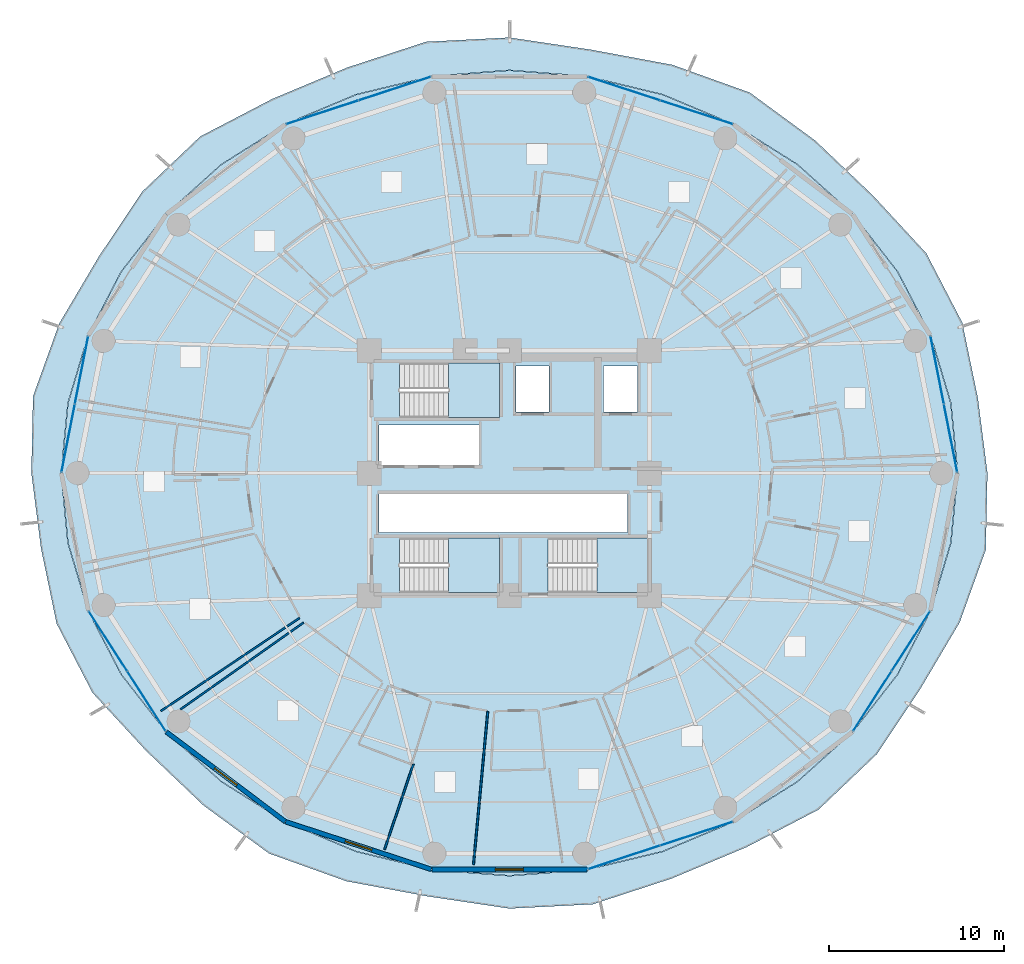
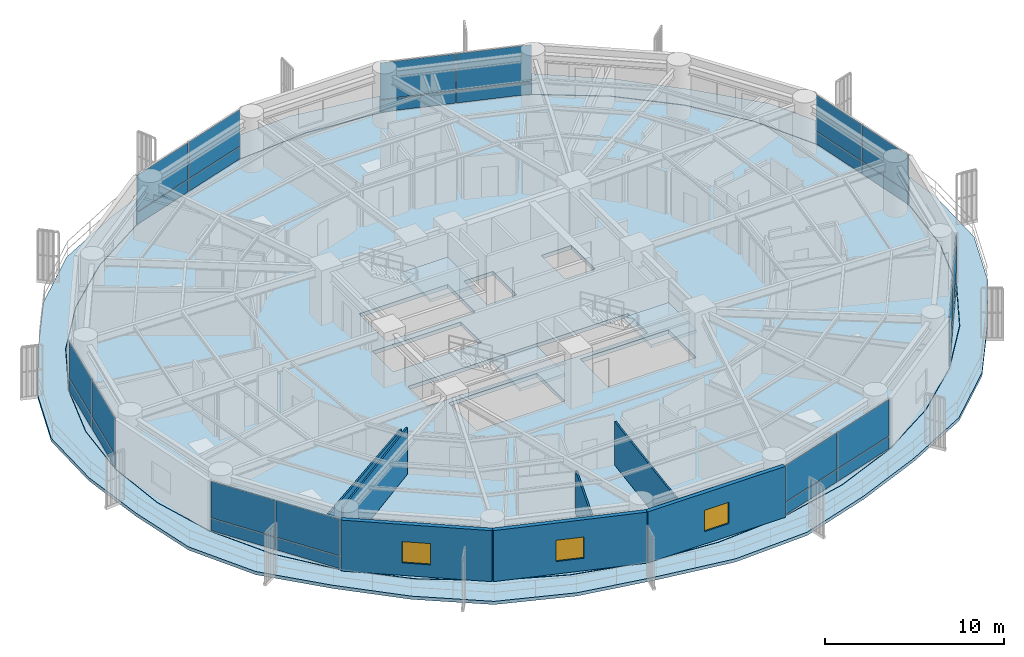
# One storey, part 26 of 35: 28 plates, 7 walls, 5 slabs, 3 windows, 3 openings, 10 elements without a shape of their own.
"""IFC4 building model written with IfcOpenShell, lengths in metres."""

from ifc_helpers import new_model, si_unit, direction, frame, frame_2d, origin, origin_2d, place, context, subcontext, project, spatial, polyline, rectangle, outline, extrude, source, transform, mapped, material, layer, layer_set, type_object, element, fill, aggregate, save


model = new_model("IFC4")

# Units and contexts
model_context = context("Model", 3, precision=1e-05, world=origin(), true_north=direction((0.0, 1.0)))
body_context = subcontext(model_context, "Body", "Model", "MODEL_VIEW")
ifc_project = project(units=[si_unit("LENGTHUNIT", "METRE"), si_unit("AREAUNIT", "SQUARE_METRE"), si_unit("VOLUMEUNIT", "CUBIC_METRE"), si_unit("PLANEANGLEUNIT", "RADIAN"), si_unit("MASSUNIT", "GRAM", prefix="KILO")], contexts=[model_context])

# Site, building, storey
site_placement = place(None, origin())
site = spatial("IfcSite", under=ifc_project, at=site_placement, CompositionType="ELEMENT")
building_placement = place(site_placement, origin())
building = spatial("IfcBuilding", under=site, at=building_placement, Name="Kelanora Arch Commons", CompositionType="ELEMENT")
storey_placement = place(building_placement, frame((0.0, 0.0, 91.35009765625)))
storey = spatial("IfcBuildingStorey", under=building, at=storey_placement, Name="L23", CompositionType="ELEMENT", Elevation=91.35009765625)

# Stair, slab
ifc_material_1 = material(Name="Concrete C40/50", Category="concrete")
stair_type = type_object("IfcStairType", Name="STR-DL-375", PredefinedType="HALF_TURN_STAIR", material=ifc_material_1)
stair_1_placement = place(storey_placement, origin())
stair_1 = element("IfcStair", 1, at=stair_1_placement, inside=storey, type_object=stair_type, Name="L23 ST-T1", PredefinedType="HALF_TURN_STAIR")
ifc_layer_1 = layer(ifc_material_1, 0.199951171875)
ifc_layer_set_1 = layer_set([ifc_layer_1], Name="Concrete C40/50")
slab_type_1 = type_object("IfcSlabType", Name="SLB-STAIR-LND", PredefinedType="LANDING", material=ifc_layer_set_1)
slab_1_placement = place(storey_placement, frame((0.0, 0.0, 1.6748046875)))
slab_1 = element("IfcSlab", 2, at=slab_1_placement, type_object=slab_type_1, Name="ST-T1 landing 1", PredefinedType="LANDING", context=body_context, shape_type="SweptSolid", body=[
    extrude(outline(polyline([(70.52001953125, 61.179931640625), (73.43994140625, 61.179931640625), (73.43994140625, 64.2900390625), (70.52001953125, 64.2900390625), (70.52001953125, 61.179931640625)])), origin(), (0.0, 0.0, 1.0), 0.2001953125),
])
aggregate(stair_1, [slab_1])

stair_2_placement = place(storey_placement, origin())
stair_2 = element("IfcStair", 3, at=stair_2_placement, inside=storey, type_object=stair_type, Name="L23 ST-T2", PredefinedType="HALF_TURN_STAIR")
slab_2_placement = place(storey_placement, frame((0.0, 0.0, 1.6748046875)))
slab_2 = element("IfcSlab", 4, at=slab_2_placement, type_object=slab_type_1, Name="ST-T2 landing 1", PredefinedType="LANDING", context=body_context, shape_type="SweptSolid", body=[
    extrude(outline(polyline([(79.0, 51.179931640625), (81.919921875, 51.179931640625), (81.919921875, 54.2900390625), (79.0, 54.2900390625), (79.0, 51.179931640625)])), origin(), (0.0, 0.0, 1.0), 0.2001953125),
])
aggregate(stair_2, [slab_2])

stair_3_placement = place(storey_placement, origin())
stair_3 = element("IfcStair", 5, at=stair_3_placement, inside=storey, type_object=stair_type, Name="L23 ST-T3", PredefinedType="HALF_TURN_STAIR")
slab_3_placement = place(storey_placement, frame((0.0, 0.0, 1.6748046875)))
slab_3 = element("IfcSlab", 6, at=slab_3_placement, type_object=slab_type_1, Name="ST-T3 landing 1", PredefinedType="LANDING", context=body_context, shape_type="SweptSolid", body=[
    extrude(outline(polyline([(70.52001953125, 51.179931640625), (73.43994140625, 51.179931640625), (73.43994140625, 54.2900390625), (70.52001953125, 54.2900390625), (70.52001953125, 51.179931640625)])), origin(), (0.0, 0.0, 1.0), 0.2001953125),
])
aggregate(stair_3, [slab_3])

# Slabs
ifc_layer_2 = layer(ifc_material_1, 0.260009765625)
ifc_layer_set_2 = layer_set([ifc_layer_2], Name="Concrete C40/50")
slab_type_2 = type_object("IfcSlabType", Name="SLB-TWR-TYP", PredefinedType="FLOOR", material=ifc_layer_set_2)
slab_4_placement = place(storey_placement, frame((0.0, 0.0, -0.260009765625)))
element("IfcSlab", 7, at=slab_4_placement, inside=storey, type_object=slab_type_2, Name="Tower Floor Slab L23", PredefinedType="FLOOR", context=body_context, shape_type="SweptSolid", body=[
    extrude(outline(polyline([(99.60009765625, 58.0), (99.211181640625, 61.993896484375), (98.05615234375, 65.866455078125), (96.17041015625, 69.5), (93.610595703125, 72.7841796875), (90.455322265625, 75.618896484375), (86.800048828125, 77.918701171875), (82.755615234375, 79.61279296875), (78.4453125, 80.650634765625), (74.0, 81.0), (69.5546875, 80.650634765625), (65.244384765625, 79.61279296875), (61.199951171875, 77.918701171875), (57.544677734375, 75.618896484375), (54.389404296875, 72.7841796875), (51.82958984375, 69.5), (49.94384765625, 65.866455078125), (48.788818359375, 61.993896484375), (48.39990234375, 58.0), (48.788818359375, 54.006103515625), (49.94384765625, 50.133544921875), (51.82958984375, 46.5), (54.389404296875, 43.2158203125), (57.544677734375, 40.381103515625), (61.199951171875, 38.081298828125), (65.244384765625, 36.38720703125), (69.5546875, 35.349365234375), (74.0, 35.0), (78.4453125, 35.349365234375), (82.755615234375, 36.38720703125), (86.800048828125, 38.081298828125), (90.455322265625, 40.381103515625), (93.610595703125, 43.2158203125), (96.17041015625, 46.5), (98.05615234375, 50.133544921875), (99.211181640625, 54.006103515625), (99.60009765625, 58.0)]), holes=[polyline([(73.431884765625, 51.18798828125), (67.72802734375, 51.18798828125), (67.72802734375, 54.281982421875), (73.431884765625, 54.281982421875), (73.431884765625, 51.18798828125)]), polyline([(76.2080078125, 51.18798828125), (76.2080078125, 54.281982421875), (81.912109375, 54.281982421875), (81.912109375, 51.18798828125), (76.2080078125, 51.18798828125)]), polyline([(66.550048828125, 54.60009765625), (66.550048828125, 56.800048828125), (80.75, 56.800048828125), (80.75, 54.60009765625), (66.550048828125, 54.60009765625)]), polyline([(66.550048828125, 58.449951171875), (66.550048828125, 60.75), (72.25, 60.75), (72.25, 58.449951171875), (66.550048828125, 58.449951171875)]), polyline([(67.72802734375, 61.18798828125), (67.72802734375, 64.281982421875), (73.431884765625, 64.281982421875), (73.431884765625, 61.18798828125), (67.72802734375, 61.18798828125)]), polyline([(74.3798828125, 61.47998046875), (74.3798828125, 64.1201171875), (76.260009765625, 64.1201171875), (76.260009765625, 61.47998046875), (74.3798828125, 61.47998046875)]), polyline([(79.3798828125, 61.47998046875), (79.3798828125, 64.1201171875), (81.320068359375, 64.1201171875), (81.320068359375, 61.47998046875), (79.3798828125, 61.47998046875)])]), origin(), (0.0, 0.0, 1.0), 0.260009765625),
])
ifc_layer_3 = layer(ifc_material_1, 0.219970703125)
ifc_layer_set_3 = layer_set([ifc_layer_3], Name="Concrete C40/50")
slab_type_3 = type_object("IfcSlabType", Name="SLB-WAVE-BAL", PredefinedType="FLOOR", material=ifc_layer_set_3)
slab_5_placement = place(storey_placement, frame((0.0, 0.0, -0.22021484375)))
element("IfcSlab", 8, at=slab_5_placement, inside=storey, type_object=slab_type_3, Name="Sinusoidal Wave Balcony Slab L23", PredefinedType="FLOOR", context=body_context, shape_type="SweptSolid", body=[
    extrude(outline(polyline([(101.312255859375, 58.0), (100.7626953125, 62.29833984375), (99.87109375, 66.601806640625), (97.81787109375, 70.55859375), (94.766357421875, 73.86328125), (91.486083984375, 76.986083984375), (87.7412109375, 79.73291015625), (83.314453125, 81.321533203125), (78.688232421875, 82.18310546875), (74.0, 82.88330078125), (69.239501953125, 82.639892578125), (64.735595703125, 81.168701171875), (60.4462890625, 79.37158203125), (56.33203125, 77.227294921875), (53.012939453125, 74.069580078125), (50.5244140625, 70.3388671875), (48.277587890625, 66.54150390625), (46.783203125, 62.387451171875), (46.687744140625, 58.0), (47.2373046875, 53.70166015625), (48.12890625, 49.398193359375), (50.18212890625, 45.44140625), (53.233642578125, 42.13671875), (56.513916015625, 39.013916015625), (60.2587890625, 36.26708984375), (64.685546875, 34.678466796875), (69.311767578125, 33.81689453125), (74.0, 33.11669921875), (78.760498046875, 33.360107421875), (83.264404296875, 34.831298828125), (87.5537109375, 36.62841796875), (91.66796875, 38.772705078125), (94.987060546875, 41.930419921875), (97.4755859375, 45.6611328125), (99.722412109375, 49.45849609375), (101.216796875, 53.612548828125), (101.312255859375, 58.0)]), holes=[polyline([(99.230712890625, 54.002685546875), (98.074951171875, 50.126708984375), (96.1875, 46.489990234375), (93.626220703125, 43.202880859375), (90.46826171875, 40.36572265625), (86.81005859375, 38.064208984375), (82.7626953125, 36.368408203125), (78.448974609375, 35.32958984375), (74.0, 34.97998046875), (69.551025390625, 35.32958984375), (65.2373046875, 36.368408203125), (61.18994140625, 38.064208984375), (57.53173828125, 40.36572265625), (54.373779296875, 43.202880859375), (51.8125, 46.489990234375), (49.925048828125, 50.126708984375), (48.769287109375, 54.002685546875), (48.3798828125, 58.0), (48.769287109375, 61.997314453125), (49.925048828125, 65.873291015625), (51.8125, 69.510009765625), (54.373779296875, 72.797119140625), (57.53173828125, 75.63427734375), (61.18994140625, 77.935791015625), (65.2373046875, 79.631591796875), (69.551025390625, 80.67041015625), (74.0, 81.02001953125), (78.448974609375, 80.67041015625), (82.7626953125, 79.631591796875), (86.81005859375, 77.935791015625), (90.46826171875, 75.63427734375), (93.626220703125, 72.797119140625), (96.1875, 69.510009765625), (98.074951171875, 65.873291015625), (99.230712890625, 61.997314453125), (99.6201171875, 58.0), (99.230712890625, 54.002685546875)])]), origin(), (0.0, 0.0, 1.0), 0.22021484375),
])

# Curtain wall, plates
ifc_material_2 = material(Name="Terracotta ceramic-fritted low-E glass and aluminium", Category="masonry")
ifc_layer_4 = layer(ifc_material_2, 0.159912109375)
ifc_layer_set_4 = layer_set([ifc_layer_4], Name="Terracotta ceramic-fritted low-E glass and aluminium")
curtain_wall_type = type_object("IfcCurtainWallType", Name="CW-SYS-01", PredefinedType="NOTDEFINED", material=ifc_layer_set_4)
curtain_wall_1_placement = place(storey_placement, origin())
curtain_wall_1 = element("IfcCurtainWall", 9, at=curtain_wall_1_placement, inside=storey, type_object=curtain_wall_type, Name="Unitised Curtain Wall L23-B00", PredefinedType="NOTDEFINED")
ifc_material_3 = material(Name="Terracotta ceramic-fritted double glazing", Category="masonry")
ifc_layer_5 = layer(ifc_material_3, 0.028076171875)
ifc_layer_set_5 = layer_set([ifc_layer_5], Name="Terracotta ceramic-fritted double glazing")
plate_type = type_object("IfcPlateType", Name="CWP-FRIT", PredefinedType="CURTAIN_PANEL", material=ifc_layer_set_5)
shared_shape_1 = source(origin(), body_context, "Body", "SweptSolid", [
    extrude(rectangle(XDim=3.9033203125, YDim=0.028076171875, at=origin_2d()), origin(), (0.0, 0.0, 1.0), 0.81005859375),
])
plate_1_placement = place(storey_placement, frame((99.209716796875, 59.98876953125, 0.059814453125), z_axis=(0.0, 0.0, 1.0), x_axis=(-0.192584916272, 0.981280311646, 0.0)))
plate_1 = element("IfcPlate", 10, at=plate_1_placement, type_object=plate_type, Name="CW-01 panel 1.1", PredefinedType="CURTAIN_PANEL", context=body_context, shape_type="MappedRepresentation", body=[
    mapped(shared_shape_1, transform((0.0, 0.0, 0.0), scale=1.0)),
])
plate_2_placement = place(storey_placement, frame((98.446533203125, 63.877685546875, 0.059814453125), z_axis=(0.0, 0.0, 1.0), x_axis=(-0.192584916272, 0.981280311646, 0.0)))
plate_2 = element("IfcPlate", 11, at=plate_2_placement, type_object=plate_type, Name="CW-01 panel 2.1", PredefinedType="CURTAIN_PANEL", context=body_context, shape_type="MappedRepresentation", body=[
    mapped(shared_shape_1, transform((0.0, 0.0, 0.0), scale=1.0)),
])

curtain_wall_2_placement = place(storey_placement, origin())
curtain_wall_2 = element("IfcCurtainWall", 12, at=curtain_wall_2_placement, inside=storey, type_object=curtain_wall_type, Name="Unitised Curtain Wall L23-B08", PredefinedType="NOTDEFINED")
plate_3_placement = place(storey_placement, frame((49.553466796875, 63.877685546875, 0.059814453125), z_axis=(0.0, 0.0, 1.0), x_axis=(-0.192584916272, -0.981280311646, 0.0)))
plate_3 = element("IfcPlate", 13, at=plate_3_placement, type_object=plate_type, Name="CW-01 panel 1.1", PredefinedType="CURTAIN_PANEL", context=body_context, shape_type="MappedRepresentation", body=[
    mapped(shared_shape_1, transform((0.0, 0.0, 0.0), scale=1.0)),
])
plate_4_placement = place(storey_placement, frame((48.790283203125, 59.98876953125, 0.059814453125), z_axis=(0.0, 0.0, 1.0), x_axis=(-0.192584916272, -0.981280311646, 0.0)))
plate_4 = element("IfcPlate", 14, at=plate_4_placement, type_object=plate_type, Name="CW-01 panel 2.1", PredefinedType="CURTAIN_PANEL", context=body_context, shape_type="MappedRepresentation", body=[
    mapped(shared_shape_1, transform((0.0, 0.0, 0.0), scale=1.0)),
])

# Plate
shared_shape_2 = source(origin(), body_context, "Body", "SweptSolid", [
    extrude(rectangle(XDim=3.9033203125, YDim=0.028076171875, at=origin_2d()), origin(), (0.0, 0.0, 1.0), 2.485107421875),
])
plate_5_placement = place(storey_placement, frame((99.209716796875, 59.98876953125, 0.9296875), z_axis=(0.0, 0.0, 1.0), x_axis=(-0.192584916272, 0.981280311646, 0.0)))
plate_5 = element("IfcPlate", 15, at=plate_5_placement, type_object=plate_type, Name="CW-01 panel 1.2", PredefinedType="CURTAIN_PANEL", context=body_context, shape_type="MappedRepresentation", body=[
    mapped(shared_shape_2, transform((0.0, 0.0, 0.0), scale=1.0)),
])

plate_6_placement = place(storey_placement, frame((98.446533203125, 63.877685546875, 0.9296875), z_axis=(0.0, 0.0, 1.0), x_axis=(-0.192584916272, 0.981280311646, 0.0)))
plate_6 = element("IfcPlate", 16, at=plate_6_placement, type_object=plate_type, Name="CW-01 panel 2.2", PredefinedType="CURTAIN_PANEL", context=body_context, shape_type="MappedRepresentation", body=[
    mapped(shared_shape_2, transform((0.0, 0.0, 0.0), scale=1.0)),
])

aggregate(curtain_wall_1, [plate_1, plate_5, plate_2, plate_6])

plate_7_placement = place(storey_placement, frame((49.553466796875, 63.877685546875, 0.9296875), z_axis=(0.0, 0.0, 1.0), x_axis=(-0.192584916272, -0.981280311646, 0.0)))
plate_7 = element("IfcPlate", 17, at=plate_7_placement, type_object=plate_type, Name="CW-01 panel 1.2", PredefinedType="CURTAIN_PANEL", context=body_context, shape_type="MappedRepresentation", body=[
    mapped(shared_shape_2, transform((0.0, 0.0, 0.0), scale=1.0)),
])

plate_8_placement = place(storey_placement, frame((48.790283203125, 59.98876953125, 0.9296875), z_axis=(0.0, 0.0, 1.0), x_axis=(-0.192584916272, -0.981280311646, 0.0)))
plate_8 = element("IfcPlate", 18, at=plate_8_placement, type_object=plate_type, Name="CW-01 panel 2.2", PredefinedType="CURTAIN_PANEL", context=body_context, shape_type="MappedRepresentation", body=[
    mapped(shared_shape_2, transform((0.0, 0.0, 0.0), scale=1.0)),
])

aggregate(curtain_wall_2, [plate_3, plate_7, plate_4, plate_8])

# Curtain wall, plates
curtain_wall_3_placement = place(storey_placement, origin())
curtain_wall_3 = element("IfcCurtainWall", 19, at=curtain_wall_3_placement, inside=storey, type_object=curtain_wall_type, Name="Unitised Curtain Wall L23-B03", PredefinedType="NOTDEFINED")
shared_shape_3 = source(origin(), body_context, "Body", "SweptSolid", [
    extrude(rectangle(XDim=4.2900390625, YDim=0.028076171875, at=origin_2d()), origin(), (0.0, 0.0, 1.0), 0.81005859375),
])
plate_9_placement = place(storey_placement, frame((84.68994140625, 78.608642578125, 0.059814453125), z_axis=(0.0, 0.0, 1.0), x_axis=(-0.950473795867, 0.31080470294, 0.0)))
plate_9 = element("IfcPlate", 20, at=plate_9_placement, type_object=plate_type, Name="CW-01 panel 1.1", PredefinedType="CURTAIN_PANEL", context=body_context, shape_type="MappedRepresentation", body=[
    mapped(shared_shape_3, transform((0.0, 0.0, 0.0), scale=1.0)),
])
plate_10_placement = place(storey_placement, frame((80.555419921875, 79.960693359375, 0.059814453125), z_axis=(0.0, 0.0, 1.0), x_axis=(-0.950473795867, 0.31080470294, 0.0)))
plate_10 = element("IfcPlate", 21, at=plate_10_placement, type_object=plate_type, Name="CW-01 panel 2.1", PredefinedType="CURTAIN_PANEL", context=body_context, shape_type="MappedRepresentation", body=[
    mapped(shared_shape_3, transform((0.0, 0.0, 0.0), scale=1.0)),
])

curtain_wall_4_placement = place(storey_placement, origin())
curtain_wall_4 = element("IfcCurtainWall", 22, at=curtain_wall_4_placement, inside=storey, type_object=curtain_wall_type, Name="Unitised Curtain Wall L23-B05", PredefinedType="NOTDEFINED")
plate_11_placement = place(storey_placement, frame((67.444580078125, 79.960693359375, 0.059814453125), z_axis=(0.0, 0.0, 1.0), x_axis=(-0.950473795867, -0.31080470294, 0.0)))
plate_11 = element("IfcPlate", 23, at=plate_11_placement, type_object=plate_type, Name="CW-01 panel 1.1", PredefinedType="CURTAIN_PANEL", context=body_context, shape_type="MappedRepresentation", body=[
    mapped(shared_shape_3, transform((0.0, 0.0, 0.0), scale=1.0)),
])
plate_12_placement = place(storey_placement, frame((63.31005859375, 78.608642578125, 0.059814453125), z_axis=(0.0, 0.0, 1.0), x_axis=(-0.950473795867, -0.31080470294, 0.0)))
plate_12 = element("IfcPlate", 24, at=plate_12_placement, type_object=plate_type, Name="CW-01 panel 2.1", PredefinedType="CURTAIN_PANEL", context=body_context, shape_type="MappedRepresentation", body=[
    mapped(shared_shape_3, transform((0.0, 0.0, 0.0), scale=1.0)),
])

curtain_wall_5_placement = place(storey_placement, origin())
curtain_wall_5 = element("IfcCurtainWall", 25, at=curtain_wall_5_placement, inside=storey, type_object=curtain_wall_type, Name="Unitised Curtain Wall L23-B14", PredefinedType="NOTDEFINED")
plate_13_placement = place(storey_placement, frame((80.555419921875, 36.039306640625, 0.059814453125), z_axis=(0.0, 0.0, 1.0), x_axis=(0.950473795867, 0.31080470294, 0.0)))
plate_13 = element("IfcPlate", 26, at=plate_13_placement, type_object=plate_type, Name="CW-01 panel 1.1", PredefinedType="CURTAIN_PANEL", context=body_context, shape_type="MappedRepresentation", body=[
    mapped(shared_shape_3, transform((0.0, 0.0, 0.0), scale=1.0)),
])
plate_14_placement = place(storey_placement, frame((84.68994140625, 37.391357421875, 0.059814453125), z_axis=(0.0, 0.0, 1.0), x_axis=(0.950473795867, 0.31080470294, 0.0)))
plate_14 = element("IfcPlate", 27, at=plate_14_placement, type_object=plate_type, Name="CW-01 panel 2.1", PredefinedType="CURTAIN_PANEL", context=body_context, shape_type="MappedRepresentation", body=[
    mapped(shared_shape_3, transform((0.0, 0.0, 0.0), scale=1.0)),
])

# Plate
shared_shape_4 = source(origin(), body_context, "Body", "SweptSolid", [
    extrude(rectangle(XDim=4.2900390625, YDim=0.028076171875, at=origin_2d()), origin(), (0.0, 0.0, 1.0), 2.485107421875),
])
plate_15_placement = place(storey_placement, frame((84.68994140625, 78.608642578125, 0.9296875), z_axis=(0.0, 0.0, 1.0), x_axis=(-0.950473795867, 0.31080470294, 0.0)))
plate_15 = element("IfcPlate", 28, at=plate_15_placement, type_object=plate_type, Name="CW-01 panel 1.2", PredefinedType="CURTAIN_PANEL", context=body_context, shape_type="MappedRepresentation", body=[
    mapped(shared_shape_4, transform((0.0, 0.0, 0.0), scale=1.0)),
])

plate_16_placement = place(storey_placement, frame((80.555419921875, 79.960693359375, 0.9296875), z_axis=(0.0, 0.0, 1.0), x_axis=(-0.950473795867, 0.31080470294, 0.0)))
plate_16 = element("IfcPlate", 29, at=plate_16_placement, type_object=plate_type, Name="CW-01 panel 2.2", PredefinedType="CURTAIN_PANEL", context=body_context, shape_type="MappedRepresentation", body=[
    mapped(shared_shape_4, transform((0.0, 0.0, 0.0), scale=1.0)),
])

aggregate(curtain_wall_3, [plate_9, plate_15, plate_10, plate_16])

plate_17_placement = place(storey_placement, frame((67.444580078125, 79.960693359375, 0.9296875), z_axis=(0.0, 0.0, 1.0), x_axis=(-0.950473795867, -0.31080470294, 0.0)))
plate_17 = element("IfcPlate", 30, at=plate_17_placement, type_object=plate_type, Name="CW-01 panel 1.2", PredefinedType="CURTAIN_PANEL", context=body_context, shape_type="MappedRepresentation", body=[
    mapped(shared_shape_4, transform((0.0, 0.0, 0.0), scale=1.0)),
])

plate_18_placement = place(storey_placement, frame((63.31005859375, 78.608642578125, 0.9296875), z_axis=(0.0, 0.0, 1.0), x_axis=(-0.950473795867, -0.31080470294, 0.0)))
plate_18 = element("IfcPlate", 31, at=plate_18_placement, type_object=plate_type, Name="CW-01 panel 2.2", PredefinedType="CURTAIN_PANEL", context=body_context, shape_type="MappedRepresentation", body=[
    mapped(shared_shape_4, transform((0.0, 0.0, 0.0), scale=1.0)),
])

aggregate(curtain_wall_4, [plate_11, plate_17, plate_12, plate_18])

plate_19_placement = place(storey_placement, frame((80.555419921875, 36.039306640625, 0.9296875), z_axis=(0.0, 0.0, 1.0), x_axis=(0.950473795867, 0.31080470294, 0.0)))
plate_19 = element("IfcPlate", 32, at=plate_19_placement, type_object=plate_type, Name="CW-01 panel 1.2", PredefinedType="CURTAIN_PANEL", context=body_context, shape_type="MappedRepresentation", body=[
    mapped(shared_shape_4, transform((0.0, 0.0, 0.0), scale=1.0)),
])

plate_20_placement = place(storey_placement, frame((84.68994140625, 37.391357421875, 0.9296875), z_axis=(0.0, 0.0, 1.0), x_axis=(0.950473795867, 0.31080470294, 0.0)))
plate_20 = element("IfcPlate", 33, at=plate_20_placement, type_object=plate_type, Name="CW-01 panel 2.2", PredefinedType="CURTAIN_PANEL", context=body_context, shape_type="MappedRepresentation", body=[
    mapped(shared_shape_4, transform((0.0, 0.0, 0.0), scale=1.0)),
])

aggregate(curtain_wall_5, [plate_13, plate_19, plate_14, plate_20])

# Curtain wall, plates
curtain_wall_6_placement = place(storey_placement, origin())
curtain_wall_6 = element("IfcCurtainWall", 34, at=curtain_wall_6_placement, inside=storey, type_object=curtain_wall_type, Name="Unitised Curtain Wall L23-B10", PredefinedType="NOTDEFINED")
shared_shape_5 = source(origin(), body_context, "Body", "SweptSolid", [
    extrude(rectangle(XDim=4.00634765625, YDim=0.028076171875, at=origin_2d()), origin(), (0.0, 0.0, 1.0), 0.81005859375),
])
plate_21_placement = place(storey_placement, frame((51.0673828125, 48.38525390625, 0.059814453125), z_axis=(0.0, 0.0, 1.0), x_axis=(0.540616931244, -0.841268883088, 0.0)))
plate_21 = element("IfcPlate", 35, at=plate_21_placement, type_object=plate_type, Name="CW-01 panel 1.1", PredefinedType="CURTAIN_PANEL", context=body_context, shape_type="MappedRepresentation", body=[
    mapped(shared_shape_5, transform((0.0, 0.0, 0.0), scale=1.0)),
])
plate_22_placement = place(storey_placement, frame((53.265869140625, 44.964111328125, 0.059814453125), z_axis=(0.0, 0.0, 1.0), x_axis=(0.540616931244, -0.841268883088, 0.0)))
plate_22 = element("IfcPlate", 36, at=plate_22_placement, type_object=plate_type, Name="CW-01 panel 2.1", PredefinedType="CURTAIN_PANEL", context=body_context, shape_type="MappedRepresentation", body=[
    mapped(shared_shape_5, transform((0.0, 0.0, 0.0), scale=1.0)),
])

curtain_wall_7_placement = place(storey_placement, origin())
curtain_wall_7 = element("IfcCurtainWall", 37, at=curtain_wall_7_placement, inside=storey, type_object=curtain_wall_type, Name="Unitised Curtain Wall L23-B16", PredefinedType="NOTDEFINED")
plate_23_placement = place(storey_placement, frame((94.734130859375, 44.964111328125, 0.059814453125), z_axis=(0.0, 0.0, 1.0), x_axis=(0.540616931244, 0.841268883088, 0.0)))
plate_23 = element("IfcPlate", 38, at=plate_23_placement, type_object=plate_type, Name="CW-01 panel 1.1", PredefinedType="CURTAIN_PANEL", context=body_context, shape_type="MappedRepresentation", body=[
    mapped(shared_shape_5, transform((0.0, 0.0, 0.0), scale=1.0)),
])
plate_24_placement = place(storey_placement, frame((96.9326171875, 48.38525390625, 0.059814453125), z_axis=(0.0, 0.0, 1.0), x_axis=(0.540616931244, 0.841268883088, 0.0)))
plate_24 = element("IfcPlate", 39, at=plate_24_placement, type_object=plate_type, Name="CW-01 panel 2.1", PredefinedType="CURTAIN_PANEL", context=body_context, shape_type="MappedRepresentation", body=[
    mapped(shared_shape_5, transform((0.0, 0.0, 0.0), scale=1.0)),
])

# Plate
shared_shape_6 = source(origin(), body_context, "Body", "SweptSolid", [
    extrude(rectangle(XDim=4.00634765625, YDim=0.028076171875, at=origin_2d()), origin(), (0.0, 0.0, 1.0), 2.485107421875),
])
plate_25_placement = place(storey_placement, frame((51.0673828125, 48.38525390625, 0.9296875), z_axis=(0.0, 0.0, 1.0), x_axis=(0.540616931244, -0.841268883088, 0.0)))
plate_25 = element("IfcPlate", 40, at=plate_25_placement, type_object=plate_type, Name="CW-01 panel 1.2", PredefinedType="CURTAIN_PANEL", context=body_context, shape_type="MappedRepresentation", body=[
    mapped(shared_shape_6, transform((0.0, 0.0, 0.0), scale=1.0)),
])

plate_26_placement = place(storey_placement, frame((53.265869140625, 44.964111328125, 0.9296875), z_axis=(0.0, 0.0, 1.0), x_axis=(0.540616931244, -0.841268883088, 0.0)))
plate_26 = element("IfcPlate", 41, at=plate_26_placement, type_object=plate_type, Name="CW-01 panel 2.2", PredefinedType="CURTAIN_PANEL", context=body_context, shape_type="MappedRepresentation", body=[
    mapped(shared_shape_6, transform((0.0, 0.0, 0.0), scale=1.0)),
])

aggregate(curtain_wall_6, [plate_21, plate_25, plate_22, plate_26])

plate_27_placement = place(storey_placement, frame((94.734130859375, 44.964111328125, 0.9296875), z_axis=(0.0, 0.0, 1.0), x_axis=(0.540616931244, 0.841268883088, 0.0)))
plate_27 = element("IfcPlate", 42, at=plate_27_placement, type_object=plate_type, Name="CW-01 panel 1.2", PredefinedType="CURTAIN_PANEL", context=body_context, shape_type="MappedRepresentation", body=[
    mapped(shared_shape_6, transform((0.0, 0.0, 0.0), scale=1.0)),
])

plate_28_placement = place(storey_placement, frame((96.9326171875, 48.38525390625, 0.9296875), z_axis=(0.0, 0.0, 1.0), x_axis=(0.540616931244, 0.841268883088, 0.0)))
plate_28 = element("IfcPlate", 43, at=plate_28_placement, type_object=plate_type, Name="CW-01 panel 2.2", PredefinedType="CURTAIN_PANEL", context=body_context, shape_type="MappedRepresentation", body=[
    mapped(shared_shape_6, transform((0.0, 0.0, 0.0), scale=1.0)),
])

aggregate(curtain_wall_7, [plate_23, plate_27, plate_24, plate_28])

# Wall, opening, window
ifc_material_4 = material(Name="Precast concrete C40/50 with terracotta rainscreen", Category="masonry")
ifc_layer_6 = layer(ifc_material_4, 0.260009765625)
ifc_layer_set_6 = layer_set([ifc_layer_6], Name="Precast concrete C40/50 with terracotta rainscreen")
wall_type_1 = type_object("IfcWallType", Name="W-EXT-TC", PredefinedType="SOLIDWALL", material=ifc_layer_set_6)
wall_1_placement = place(storey_placement, frame((54.4013671875, 43.206787109375, 0.0), z_axis=(0.0, 0.0, 1.0), x_axis=(0.798501507879, -0.601992808857, 0.0)))
wall_1 = element("IfcWall", 44, at=wall_1_placement, inside=storey, type_object=wall_type_1, Name="Terracotta Exterior Wall L23-B11", PredefinedType="SOLIDWALL", context=body_context, shape_type="SweptSolid", body=[
    extrude(rectangle(XDim=8.499267578125, YDim=0.260009765625, at=frame_2d((4.24951171875, 0.0))), origin(), (0.0, 0.0, 1.0), 3.474853515625),
])
opening_1_placement = place(wall_1_placement, frame((3.449951171875, 0.0, 0.85009765625)))
opening_1 = element("IfcOpeningElement", 45, at=opening_1_placement, cuts=wall_1, Name="Opening WN-01", PredefinedType="OPENING", context=body_context, shape_type="SweptSolid", body=[
    extrude(rectangle(XDim=1.60009765625, YDim=1.449951171875, at=frame_2d((0.800048828125, 0.72509765625))), frame((0.0, 0.14013671875, 0.0), z_axis=(0.0, -1.0, 0.0), x_axis=(1.0, 0.0, 0.0)), (0.0, 0.0, 1.0), 0.280029296875),
])
ifc_material_5 = material(Name="Terracotta-anodised aluminium frame with operable low-E glazing", Category="masonry")
window_type = type_object("IfcWindowType", Name="WIN-CL-18", PartitioningType="DOUBLE_PANEL_VERTICAL", PredefinedType="WINDOW", material=ifc_material_5)
window_1_placement = place(opening_1_placement, origin())
window_1 = element("IfcWindow", 46, at=window_1_placement, inside=storey, type_object=window_type, Name="Co-Living Operable Window L23-B11", OverallHeight=1.449951171875, OverallWidth=1.60009765625, PartitioningType="SINGLE_PANEL", PredefinedType="WINDOW", context=body_context, shape_type="SweptSolid", body=[
    extrude(rectangle(XDim=1.60009765625, YDim=1.449951171875, at=frame_2d((0.800048828125, 0.72509765625))), frame((0.0, 0.030029296875, 0.0), z_axis=(0.0, -1.0, 0.0), x_axis=(1.0, 0.0, 0.0)), (0.0, 0.0, 1.0), 0.06005859375),
])
fill(opening_1, window_1)

wall_2_placement = place(storey_placement, frame((61.21435546875, 38.07666015625, 0.0), z_axis=(0.0, 0.0, 1.0), x_axis=(0.950471101963, -0.310812941064, 0.0)))
wall_2 = element("IfcWall", 47, at=wall_2_placement, inside=storey, type_object=wall_type_1, Name="Terracotta Exterior Wall L23-B12", PredefinedType="SOLIDWALL", context=body_context, shape_type="SweptSolid", body=[
    extrude(rectangle(XDim=8.759765625, YDim=0.260009765625, at=frame_2d((4.3798828125, 0.0))), origin(), (0.0, 0.0, 1.0), 3.474853515625),
])
opening_2_placement = place(wall_2_placement, frame((3.580078125, 0.0, 0.85009765625)))
opening_2 = element("IfcOpeningElement", 48, at=opening_2_placement, cuts=wall_2, Name="Opening WN-01", PredefinedType="OPENING", context=body_context, shape_type="SweptSolid", body=[
    extrude(rectangle(XDim=1.60009765625, YDim=1.449951171875, at=frame_2d((0.800048828125, 0.72509765625))), frame((0.0, 0.14013671875, 0.0), z_axis=(0.0, -1.0, 0.0), x_axis=(1.0, 0.0, 0.0)), (0.0, 0.0, 1.0), 0.280029296875),
])
window_2_placement = place(opening_2_placement, origin())
window_2 = element("IfcWindow", 49, at=window_2_placement, inside=storey, type_object=window_type, Name="Co-Living Operable Window L23-B12", OverallHeight=1.449951171875, OverallWidth=1.60009765625, PartitioningType="SINGLE_PANEL", PredefinedType="WINDOW", context=body_context, shape_type="SweptSolid", body=[
    extrude(rectangle(XDim=1.60009765625, YDim=1.449951171875, at=frame_2d((0.800048828125, 0.72509765625))), frame((0.0, 0.030029296875, 0.0), z_axis=(0.0, -1.0, 0.0), x_axis=(1.0, 0.0, 0.0)), (0.0, 0.0, 1.0), 0.06005859375),
])
fill(opening_2, window_2)

wall_3_placement = place(storey_placement, frame((69.569580078125, 35.349365234375, 0.0), z_axis=(0.0, 0.0, 1.0), x_axis=(1.0, 0.0, 0.0)))
wall_3 = element("IfcWall", 50, at=wall_3_placement, inside=storey, type_object=wall_type_1, Name="Terracotta Exterior Wall L23-B13", PredefinedType="SOLIDWALL", context=body_context, shape_type="SweptSolid", body=[
    extrude(rectangle(XDim=8.86083984375, YDim=0.260009765625, at=frame_2d((4.430419921875, 0.0))), origin(), (0.0, 0.0, 1.0), 3.474853515625),
])
opening_3_placement = place(wall_3_placement, frame((3.6298828125, 0.0, 0.85009765625)))
opening_3 = element("IfcOpeningElement", 51, at=opening_3_placement, cuts=wall_3, Name="Opening WN-01", PredefinedType="OPENING", context=body_context, shape_type="SweptSolid", body=[
    extrude(rectangle(XDim=1.60009765625, YDim=1.449951171875, at=frame_2d((0.800048828125, 0.72509765625))), frame((0.0, 0.14013671875, 0.0), z_axis=(0.0, -1.0, 0.0), x_axis=(1.0, 0.0, 0.0)), (0.0, 0.0, 1.0), 0.280029296875),
])
window_3_placement = place(opening_3_placement, origin())
window_3 = element("IfcWindow", 52, at=window_3_placement, inside=storey, type_object=window_type, Name="Co-Living Operable Window L23-B13", OverallHeight=1.449951171875, OverallWidth=1.60009765625, PartitioningType="SINGLE_PANEL", PredefinedType="WINDOW", context=body_context, shape_type="SweptSolid", body=[
    extrude(rectangle(XDim=1.60009765625, YDim=1.449951171875, at=frame_2d((0.800048828125, 0.72509765625))), frame((0.0, 0.030029296875, 0.0), z_axis=(0.0, -1.0, 0.0), x_axis=(1.0, 0.0, 0.0)), (0.0, 0.0, 1.0), 0.06005859375),
])
fill(opening_3, window_3)

# Walls
ifc_material_6 = material(Name="Lightweight fire-rated acoustic stud partition")
ifc_layer_7 = layer(ifc_material_6, 0.10009765625)
ifc_layer_set_7 = layer_set([ifc_layer_7], Name="Lightweight fire-rated acoustic stud partition")
wall_type_2 = type_object("IfcWallType", Name="W-PART-100", PredefinedType="PARTITIONING", material=ifc_layer_set_7)
wall_4_placement = place(storey_placement, frame((62.0107421875, 49.7177734375, 0.0), z_axis=(0.0, 0.0, 1.0), x_axis=(-0.830433607217, -0.557117603388, 0.0)))
element("IfcWall", 53, at=wall_4_placement, inside=storey, type_object=wall_type_2, Name="Quiet Seminar Study Room L23-08 Enclosure Partition 2", PredefinedType="PARTITIONING", context=body_context, shape_type="SweptSolid", body=[
    extrude(rectangle(XDim=9.546142578125, YDim=0.10009765625, at=frame_2d((4.77294921875, 0.0))), origin(), (0.0, 0.0, 1.0), 2.974853515625),
])
wall_5_placement = place(storey_placement, frame((55.210205078125, 44.49755859375, 0.0), z_axis=(0.0, 0.0, 1.0), x_axis=(0.817133838915, 0.576447993578, 0.0)))
element("IfcWall", 54, at=wall_5_placement, inside=storey, type_object=wall_type_2, Name="Communal Dining and Social Hall L23-09 Enclosure Partition 4", PredefinedType="PARTITIONING", context=body_context, shape_type="SweptSolid", body=[
    extrude(rectangle(XDim=8.599609375, YDim=0.10009765625, at=frame_2d((4.2998046875, 0.0))), origin(), (0.0, 0.0, 1.0), 3.1748046875),
])
wall_6_placement = place(storey_placement, frame((72.764404296875, 44.376220703125, 0.0), z_axis=(0.0, 0.0, 1.0), x_axis=(-0.092917687898, -0.995673793607, 0.0)))
element("IfcWall", 55, at=wall_6_placement, inside=storey, type_object=wall_type_2, Name="Quiet Reading Carrel L23-10 Enclosure Partition 2", PredefinedType="PARTITIONING", context=body_context, shape_type="SweptSolid", body=[
    extrude(rectangle(XDim=8.778564453125, YDim=0.10009765625, at=frame_2d((4.38916015625, 0.0))), origin(), (0.0, 0.0, 1.0), 2.974853515625),
])
wall_7_placement = place(storey_placement, frame((66.86669921875, 36.489990234375, 0.0), z_axis=(0.0, 0.0, 1.0), x_axis=(0.319911741109, 0.947447348353, 0.0)))
element("IfcWall", 56, at=wall_7_placement, inside=storey, type_object=wall_type_2, Name="Quiet Reading Carrel L23-10 Enclosure Partition 4", PredefinedType="PARTITIONING", context=body_context, shape_type="SweptSolid", body=[
    extrude(rectangle(XDim=5.14599609375, YDim=0.10009765625, at=frame_2d((2.572998046875, 0.0))), origin(), (0.0, 0.0, 1.0), 2.9248046875),
])

save(model, "model.ifc")
